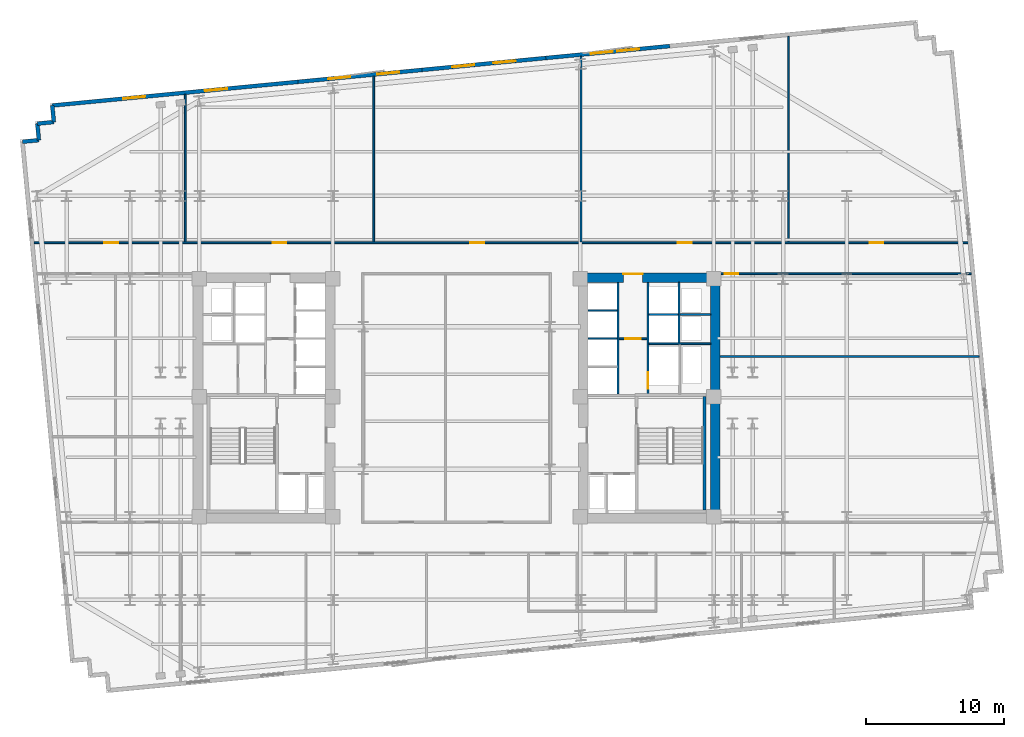
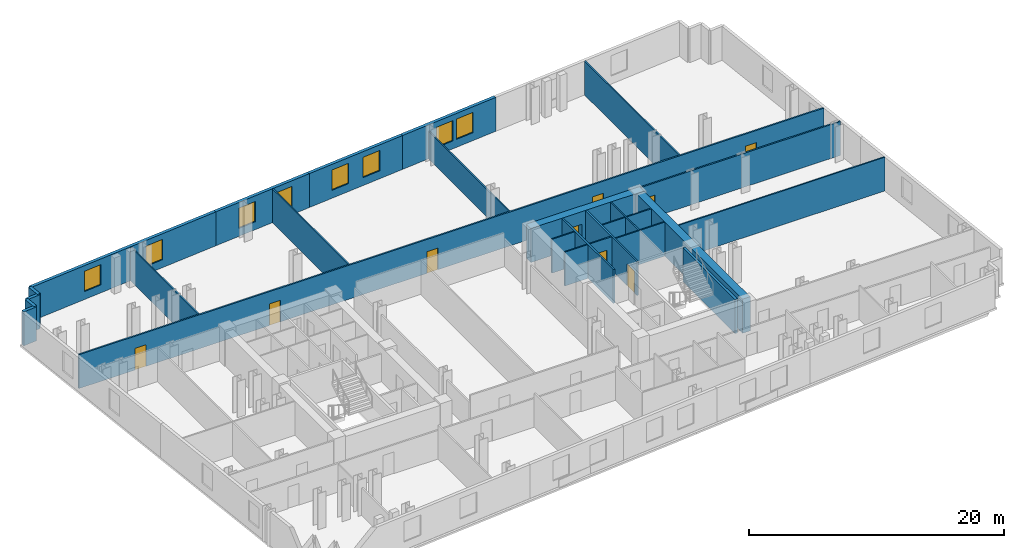
# One storey, part 7 of 10: 27 walls, 9 doors, 8 windows, 17 openings.
"""IFC4 building model written with IfcOpenShell, lengths in metres."""

import ifcopenshell
import ifcopenshell.guid

model = None  # the IFC model being written
_history = None  # IfcOwnerHistory: only IFC2X3 demands one
_inside = {}  # id of a spatial element -> (the spatial element, [elements in it])
_under = {}  # id of a project, library or spatial element -> (it, [spatial elements below it])
_declared = {}  # id of a project -> (the project, [libraries it declares])
_typed = {}  # id of a type object -> (the type object, [elements of that type])
_made_of = {}  # id of a material, layer set ... -> (it, [elements and type objects made of it])


def new_model(schema):
    """Start an empty IFC model of exactly this schema.

    Asked for "IFC4X3", IfcOpenShell would pick the latest addendum, in which some entities
    have other attributes; the version numbers below select the first issue.
    IFC2X3 requires an IfcOwnerHistory on every rooted entity: one is made here for all.
    """
    global model, _history
    if schema == "IFC4X3":
        model = ifcopenshell.file(schema_version=(4, 3, 0, 0))
    else:
        model = ifcopenshell.file(schema=schema)
    _inside.clear()
    _under.clear()
    _declared.clear()
    _typed.clear()
    _made_of.clear()
    _history = None
    if model.schema == "IFC2X3":
        org = make("IfcOrganization", Name="unknown")
        user = make(
            "IfcPersonAndOrganization",
            ThePerson=make("IfcPerson", FamilyName="unknown"),
            TheOrganization=org,
        )
        app = make(
            "IfcApplication",
            ApplicationDeveloper=org,
            Version="unknown",
            ApplicationFullName="unknown",
            ApplicationIdentifier="unknown",
        )
        _history = make(
            "IfcOwnerHistory",
            OwningUser=user,
            OwningApplication=app,
            ChangeAction="ADDED",
            CreationDate=0,
        )
    return model


def make(cls, **values):
    """One entity of the class cls with the attributes given. An attribute that is None is left unset."""
    return model.create_entity(
        cls, **{name: value for name, value in values.items() if value is not None}
    )


def rooted(cls, **values):
    """An entity with a GlobalId (a new one), such as an element, a storey or a relation."""
    return make(cls, GlobalId=ifcopenshell.guid.new(), OwnerHistory=_history, **values)


def si_unit(unit_type, name, prefix=None):
    """IfcSIUnit, for example si_unit("LENGTHUNIT", "METRE", prefix="MILLI")."""
    return make("IfcSIUnit", UnitType=unit_type, Prefix=prefix, Name=name)


def assignment(units):
    """IfcUnitAssignment: the units of a project."""
    return None if units is None else make("IfcUnitAssignment", Units=units)


def point(xyz):
    """IfcCartesianPoint."""
    return None if xyz is None else make("IfcCartesianPoint", Coordinates=xyz)


def direction(xyz):
    """IfcDirection."""
    return None if xyz is None else make("IfcDirection", DirectionRatios=xyz)


def frame(location, z_axis=None, x_axis=None):
    """IfcAxis2Placement3D, a coordinate frame: its origin and axes. An axis left out is left unset."""
    return make(
        "IfcAxis2Placement3D",
        Location=point(location),
        Axis=direction(z_axis),
        RefDirection=direction(x_axis),
    )


def frame_2d(location, x_axis=None):
    """IfcAxis2Placement2D, a coordinate frame in the plane: its origin and x axis."""
    return make(
        "IfcAxis2Placement2D", Location=point(location), RefDirection=direction(x_axis)
    )


def origin():
    """The frame at (0, 0, 0) with its axes left unset."""
    return frame((0.0, 0.0, 0.0))


def place(relative_to, where):
    """IfcLocalPlacement: puts the frame where relative to a parent placement (None: the world)."""
    return make(
        "IfcLocalPlacement", PlacementRelTo=relative_to, RelativePlacement=where
    )


def context(
    kind, dimensions, precision=None, world=None, true_north=None, identifier=None
):
    """IfcGeometricRepresentationContext, for example the 3D "Model" context."""
    return make(
        "IfcGeometricRepresentationContext",
        ContextIdentifier=identifier,
        ContextType=kind,
        CoordinateSpaceDimension=dimensions,
        Precision=precision,
        WorldCoordinateSystem=world,
        TrueNorth=true_north,
    )


def subcontext(parent, identifier, kind, view, scale=None):
    """IfcGeometricRepresentationSubContext, for example "Body" below "Model"."""
    return make(
        "IfcGeometricRepresentationSubContext",
        ContextIdentifier=identifier,
        ContextType=kind,
        ParentContext=parent,
        TargetScale=scale,
        TargetView=view,
    )


def project(units=None, contexts=None):
    """IfcProject with its units and contexts."""
    return rooted(
        "IfcProject",
        Name="project",
        RepresentationContexts=contexts,
        UnitsInContext=assignment(units),
    )


def spatial(cls, under=None, at=None, **own):
    """A site, building, storey or space (cls), placed at a placement, below another one or the project."""
    s = rooted(cls, ObjectPlacement=at, **own)
    if under is not None:
        _under.setdefault(under.id(), (under, []))[1].append(s)
    return s


def profile(cls, at=None, kind="AREA", **sizes):
    """A parametric profile (cls). Its sizes go by their IFC names, for example OverallWidth=200.0."""
    return make(cls, ProfileType=kind, Position=at, **sizes)


def rectangle(**sizes):
    """IfcRectangleProfileDef."""
    return profile("IfcRectangleProfileDef", **sizes)


def extrude(swept, where, along, depth):
    """IfcExtrudedAreaSolid: the profile swept, set in the frame where, extruded along a direction by depth."""
    return make(
        "IfcExtrudedAreaSolid",
        SweptArea=swept,
        Position=where,
        ExtrudedDirection=direction(along),
        Depth=depth,
    )


def shape(context_of_items, identifier, shape_type, items):
    """IfcShapeRepresentation: the items that make up one representation, for example the "Body"."""
    return make(
        "IfcShapeRepresentation",
        ContextOfItems=context_of_items,
        RepresentationIdentifier=identifier,
        RepresentationType=shape_type,
        Items=items,
    )


def material(Name=None, Category=None):
    """IfcMaterial."""
    return make("IfcMaterial", Name=Name, Category=Category)


def layer(
    of_material, thickness, ventilated=None, Name=None, Category=None, Priority=None
):
    """IfcMaterialLayer: one layer of a wall or slab, of a material (None: an air gap)."""
    return make(
        "IfcMaterialLayer",
        Material=of_material,
        LayerThickness=thickness,
        IsVentilated=ventilated,
        Name=Name,
        Category=Category,
        Priority=Priority,
    )


def layer_set(layers, Name=None):
    """IfcMaterialLayerSet."""
    return make("IfcMaterialLayerSet", MaterialLayers=layers, LayerSetName=Name)


def made_of(thing, what):
    """Note that an element or type object is made of a material, layer set ...; save() writes the relation."""
    if what is not None:
        _made_of.setdefault(what.id(), (what, []))[1].append(thing)
    return thing


def type_object(cls, material=None, **own):
    """A type object (cls), such as IfcWallType, which elements share."""
    return made_of(rooted(cls, **own), material)


def element(
    cls,
    number,
    at=None,
    inside=None,
    cuts=None,
    type_object=None,
    material=None,
    context=None,
    identifier="Body",
    shape_type=None,
    held_by="IfcProductDefinitionShape",
    body=None,
    shapes=None,
    **own,
):
    """One element of the class cls, such as IfcWall. Its Tag is "e" and its number.

    at: its placement. inside: the storey or other place that contains it. cuts: it is an
    opening in that element (IfcRelVoidsElement). A single representation is given by context,
    identifier, shape_type and body (its items); several are given by shapes. held_by: the class
    of the entity that holds the representations. save() writes the other relations.
    """
    e = rooted(cls, Tag="e%d" % number, ObjectPlacement=at, **own)
    if body is not None:
        shapes = [shape(context, identifier, shape_type, body)]
    if shapes is not None:
        e.Representation = make(held_by, Representations=shapes)
    if inside is not None:
        _inside.setdefault(inside.id(), (inside, []))[1].append(e)
    if cuts is not None:
        rooted(
            "IfcRelVoidsElement", RelatingBuildingElement=cuts, RelatedOpeningElement=e
        )
    if type_object is not None:
        _typed.setdefault(type_object.id(), (type_object, []))[1].append(e)
    return made_of(e, material)


def fill(opening, filler):
    """IfcRelFillsElement: the door or window that sits in an opening."""
    return rooted(
        "IfcRelFillsElement",
        RelatingOpeningElement=opening,
        RelatedBuildingElement=filler,
    )


def aggregate(whole, parts):
    """IfcRelAggregates: a whole, such as a stair, and the parts it consists of."""
    return rooted("IfcRelAggregates", RelatingObject=whole, RelatedObjects=parts)


def save(model, path):
    """Write the relations noted so far, then the file.

    IfcRelAggregates (storeys below a building ...), IfcRelContainedInSpatialStructure (elements
    in a storey), IfcRelDefinesByType, IfcRelAssociatesMaterial and IfcRelDeclares: one each for
    every whole, place, type object, material and project.
    """
    for whole, parts in _under.values():
        aggregate(whole, parts)
    for where, things in _inside.values():
        rooted(
            "IfcRelContainedInSpatialStructure",
            RelatedElements=things,
            RelatingStructure=where,
        )
    for kind, things in _typed.values():
        rooted("IfcRelDefinesByType", RelatedObjects=things, RelatingType=kind)
    for what, things in _made_of.values():
        rooted("IfcRelAssociatesMaterial", RelatedObjects=things, RelatingMaterial=what)
    for by, libraries in _declared.values():
        rooted("IfcRelDeclares", RelatingContext=by, RelatedDefinitions=libraries)
    model.write(path)


model = new_model("IFC4")

# Units and contexts
model_context = context("Model", 3, precision=1e-05, world=origin(), true_north=direction((0.0, 1.0)))
body_context = subcontext(model_context, "Body", "Model", "MODEL_VIEW")
ifc_project = project(units=[si_unit("LENGTHUNIT", "METRE"), si_unit("AREAUNIT", "SQUARE_METRE"), si_unit("VOLUMEUNIT", "CUBIC_METRE"), si_unit("PLANEANGLEUNIT", "RADIAN"), si_unit("MASSUNIT", "GRAM", prefix="KILO")], contexts=[model_context])

# Site, building, storey
site_placement = place(None, origin())
site = spatial("IfcSite", under=ifc_project, at=site_placement, CompositionType="ELEMENT")
building_placement = place(site_placement, origin())
building = spatial("IfcBuilding", under=site, at=building_placement, Name="Velakula Bourse", CompositionType="ELEMENT")
storey_placement = place(building_placement, frame((0.0, 0.0, 88.0)))
storey = spatial("IfcBuildingStorey", under=building, at=storey_placement, Name="L23", CompositionType="ELEMENT", Elevation=88.0)

# Wall
ifc_material_1 = material(Name="Concrete M50 (fck 50 MPa)", Category="concrete")
ifc_layer_1 = layer(ifc_material_1, 0.2099609375, Name="Concrete M50 (fck 50 MPa)", Category="concrete")
ifc_layer_set_1 = layer_set([ifc_layer_1], Name="Concrete M50 (fck 50 MPa)")
wall_type_1 = type_object("IfcWallType", Name="WL-CORE-210", PredefinedType="SHEAR", material=ifc_layer_set_1)
wall_1_placement = place(storey_placement, frame((17.925048828125, -8.10009765625, 0.0), z_axis=(0.0, 0.0, 1.0), x_axis=(0.0, 1.0, 0.0)))
element("IfcWall", 1, at=wall_1_placement, inside=storey, type_object=wall_type_1, Name="L23 Core E Stairwell Shear Wall OUT", PredefinedType="SHEAR", context=body_context, shape_type="SweptSolid", body=[
    extrude(rectangle(XDim=8.2001953125, YDim=0.2099609375, at=frame_2d((4.10009765625, 0.0))), origin(), (0.0, 0.0, 1.0), 3.27001953125),
])

# Wall, opening, door
ifc_material_2 = material(Name="Concrete M70 (fck 70 MPa)", Category="concrete")
ifc_layer_2 = layer(ifc_material_2, 0.699951171875, Name="Concrete M70 (fck 70 MPa)", Category="concrete")
ifc_layer_set_2 = layer_set([ifc_layer_2], Name="Concrete M70 (fck 70 MPa)")
wall_type_2 = type_object("IfcWallType", Name="WL-CORE-700", PredefinedType="SHEAR", material=ifc_layer_set_2)
wall_2_placement = place(storey_placement, frame((8.800048828125, 8.699951171875, 0.0), z_axis=(0.0, 0.0, 1.0), x_axis=(1.0, 0.0, 0.0)))
wall_2 = element("IfcWall", 2, at=wall_2_placement, inside=storey, type_object=wall_type_2, Name="L23 Core E Shear Wall N", PredefinedType="SHEAR", context=body_context, shape_type="SweptSolid", body=[
    extrude(rectangle(XDim=10.25, YDim=0.699951171875, at=frame_2d((5.125, 0.0))), origin(), (0.0, 0.0, 1.0), 3.27001953125),
])
opening_1_placement = place(wall_2_placement, frame((3.25, 0.0, 0.0)))
opening_1 = element("IfcOpeningElement", 3, at=opening_1_placement, cuts=wall_2, Name="Opening D-LLE", PredefinedType="OPENING", context=body_context, shape_type="SweptSolid", body=[
    extrude(rectangle(XDim=1.39990234375, YDim=2.050048828125, at=frame_2d((0.699951171875, 1.02490234375))), frame((0.0, 0.35986328125, 0.0), z_axis=(0.0, -1.0, 0.0), x_axis=(1.0, 0.0, 0.0)), (0.0, 0.0, 1.0), 0.719970703125),
])
ifc_material_3 = material(Name="Fire-rated hardwood flush architectural door", Category="wood")
door_type_1 = type_object("IfcDoorType", Name="DR-DBL-FD60-1400", OperationType="DOUBLE_DOOR_SINGLE_SWING", PredefinedType="DOOR", material=ifc_material_3)
door_1_placement = place(opening_1_placement, origin())
door_1 = element("IfcDoor", 4, at=door_1_placement, inside=storey, type_object=door_type_1, Name="L23 Core E Lift Lobby Corridor Double Door", OperationType="DOUBLE_DOOR_SINGLE_SWING", OverallHeight=2.050048828125, OverallWidth=1.39990234375, PredefinedType="DOOR", context=body_context, shape_type="SweptSolid", body=[
    extrude(rectangle(XDim=1.39990234375, YDim=2.050048828125, at=frame_2d((0.699951171875, 1.02490234375))), frame((0.0, 0.294921875, 0.0), z_axis=(0.0, -1.0, 0.0), x_axis=(1.0, 0.0, 0.0)), (0.0, 0.0, 1.0), 0.050048828125),
])
fill(opening_1, door_1)

# Wall
wall_3_placement = place(storey_placement, frame((18.699951171875, -8.35009765625, 0.0), z_axis=(0.0, 0.0, 1.0), x_axis=(0.0, 1.0, 0.0)))
element("IfcWall", 5, at=wall_3_placement, inside=storey, type_object=wall_type_2, Name="L23 Core E Shear Wall E", PredefinedType="SHEAR", context=body_context, shape_type="SweptSolid", body=[
    extrude(rectangle(XDim=16.7001953125, YDim=0.699951171875, at=frame_2d((8.35009765625, 0.0))), origin(), (0.0, 0.0, 1.0), 3.27001953125),
])

# Wall, openings, windows
ifc_material_4 = material(Name="Red kilned clay facing brick masonry", Category="masonry")
ifc_layer_3 = layer(ifc_material_4, 0.280029296875, Name="Red kilned clay facing brick masonry", Category="masonry")
ifc_layer_set_3 = layer_set([ifc_layer_3], Name="Red kilned clay facing brick masonry")
wall_type_3 = type_object("IfcWallType", Name="WL-EXT-BRK-280", PredefinedType="STANDARD", material=ifc_layer_set_3)
wall_4_placement = place(storey_placement, frame((-29.2314453125, 21.138427734375, 0.0), z_axis=(0.0, 0.0, 1.0), x_axis=(0.995395780835, 0.095850088663, 0.0)))
wall_4 = element("IfcWall", 6, at=wall_4_placement, inside=storey, type_object=wall_type_3, Name="L23 N Brick Spandrel Wall B1", PredefinedType="STANDARD", context=body_context, shape_type="SweptSolid", body=[
    extrude(rectangle(XDim=17.83984375, YDim=0.280029296875, at=frame_2d((8.919921875, 0.0))), origin(), (0.0, 0.0, 1.0), 3.25),
])
opening_2_placement = place(wall_4_placement, frame((5.146728515625, 0.0, 0.760009765625)))
opening_2 = element("IfcOpeningElement", 7, at=opening_2_placement, cuts=wall_4, Name="Opening W-02", PredefinedType="OPENING", context=body_context, shape_type="SweptSolid", body=[
    extrude(rectangle(XDim=1.60009765625, YDim=1.949951171875, at=frame_2d((0.800048828125, 0.97509765625))), frame((0.0, 0.14990234375, 0.0), z_axis=(0.0, -1.0, 0.0), x_axis=(1.0, 0.0, 0.0)), (0.0, 0.0, 1.0), 0.300048828125),
])
opening_3_placement = place(wall_4_placement, frame((11.09326171875, 0.0, 0.760009765625)))
opening_3 = element("IfcOpeningElement", 8, at=opening_3_placement, cuts=wall_4, Name="Opening W-02", PredefinedType="OPENING", context=body_context, shape_type="SweptSolid", body=[
    extrude(rectangle(XDim=1.60009765625, YDim=1.949951171875, at=frame_2d((0.800048828125, 0.97509765625))), frame((0.0, 0.14990234375, 0.0), z_axis=(0.0, -1.0, 0.0), x_axis=(1.0, 0.0, 0.0)), (0.0, 0.0, 1.0), 0.300048828125),
])
ifc_material_5 = material(Name="Double-glazed solar-control Low-E glass", Category="glass")
window_type = type_object("IfcWindowType", Name="WIN-TWR-1600x2100", PartitioningType="SINGLE_PANEL", PredefinedType="WINDOW", material=ifc_material_5)
window_1_placement = place(opening_2_placement, origin())
window_1 = element("IfcWindow", 9, at=window_1_placement, inside=storey, type_object=window_type, Name="L23 Deep-Set Recessed Window 1", OverallHeight=1.949951171875, OverallWidth=1.60009765625, PartitioningType="SINGLE_PANEL", PredefinedType="WINDOW", context=body_context, shape_type="SweptSolid", body=[
    extrude(rectangle(XDim=1.60009765625, YDim=1.949951171875, at=frame_2d((0.800048828125, 0.97509765625))), frame((0.0, 0.030029296875, 0.0), z_axis=(0.0, -1.0, 0.0), x_axis=(1.0, 0.0, 0.0)), (0.0, 0.0, 1.0), 0.06005859375),
])
fill(opening_2, window_1)
window_2_placement = place(opening_3_placement, origin())
window_2 = element("IfcWindow", 10, at=window_2_placement, inside=storey, type_object=window_type, Name="L23 Deep-Set Recessed Window 2", OverallHeight=1.949951171875, OverallWidth=1.60009765625, PartitioningType="SINGLE_PANEL", PredefinedType="WINDOW", context=body_context, shape_type="SweptSolid", body=[
    extrude(rectangle(XDim=1.60009765625, YDim=1.949951171875, at=frame_2d((0.800048828125, 0.97509765625))), frame((0.0, 0.030029296875, 0.0), z_axis=(0.0, -1.0, 0.0), x_axis=(1.0, 0.0, 0.0)), (0.0, 0.0, 1.0), 0.06005859375),
])
fill(opening_3, window_2)

wall_5_placement = place(storey_placement, frame((-11.4736328125, 22.848388671875, 0.0), z_axis=(0.0, 0.0, 1.0), x_axis=(0.995396794462, 0.09583956164, 0.0)))
wall_5 = element("IfcWall", 11, at=wall_5_placement, inside=storey, type_object=wall_type_3, Name="L23 N Brick Spandrel Wall B2", PredefinedType="STANDARD", context=body_context, shape_type="SweptSolid", body=[
    extrude(rectangle(XDim=9.0, YDim=0.280029296875, at=frame_2d((4.5, 0.0))), origin(), (0.0, 0.0, 1.0), 3.25),
])
opening_4_placement = place(wall_5_placement, frame((2.199951171875, 0.0, 0.760009765625)))
opening_4 = element("IfcOpeningElement", 12, at=opening_4_placement, cuts=wall_5, Name="Opening W-02", PredefinedType="OPENING", context=body_context, shape_type="SweptSolid", body=[
    extrude(rectangle(XDim=1.60009765625, YDim=1.949951171875, at=frame_2d((0.800048828125, 0.97509765625))), frame((0.0, 0.14990234375, 0.0), z_axis=(0.0, -1.0, 0.0), x_axis=(1.0, 0.0, 0.0)), (0.0, 0.0, 1.0), 0.300048828125),
])
opening_5_placement = place(wall_5_placement, frame((5.75, 0.0, 0.760009765625)))
opening_5 = element("IfcOpeningElement", 13, at=opening_5_placement, cuts=wall_5, Name="Opening W-02", PredefinedType="OPENING", context=body_context, shape_type="SweptSolid", body=[
    extrude(rectangle(XDim=1.60009765625, YDim=1.949951171875, at=frame_2d((0.800048828125, 0.97509765625))), frame((0.0, 0.14990234375, 0.0), z_axis=(0.0, -1.0, 0.0), x_axis=(1.0, 0.0, 0.0)), (0.0, 0.0, 1.0), 0.300048828125),
])
window_3_placement = place(opening_4_placement, origin())
window_3 = element("IfcWindow", 14, at=window_3_placement, inside=storey, type_object=window_type, Name="L23 Deep-Set Recessed Window 1", OverallHeight=1.949951171875, OverallWidth=1.60009765625, PartitioningType="SINGLE_PANEL", PredefinedType="WINDOW", context=body_context, shape_type="SweptSolid", body=[
    extrude(rectangle(XDim=1.60009765625, YDim=1.949951171875, at=frame_2d((0.800048828125, 0.97509765625))), frame((0.0, 0.030029296875, 0.0), z_axis=(0.0, -1.0, 0.0), x_axis=(1.0, 0.0, 0.0)), (0.0, 0.0, 1.0), 0.06005859375),
])
fill(opening_4, window_3)
window_4_placement = place(opening_5_placement, origin())
window_4 = element("IfcWindow", 15, at=window_4_placement, inside=storey, type_object=window_type, Name="L23 Deep-Set Recessed Window 2", OverallHeight=1.949951171875, OverallWidth=1.60009765625, PartitioningType="SINGLE_PANEL", PredefinedType="WINDOW", context=body_context, shape_type="SweptSolid", body=[
    extrude(rectangle(XDim=1.60009765625, YDim=1.949951171875, at=frame_2d((0.800048828125, 0.97509765625))), frame((0.0, 0.030029296875, 0.0), z_axis=(0.0, -1.0, 0.0), x_axis=(1.0, 0.0, 0.0)), (0.0, 0.0, 1.0), 0.06005859375),
])
fill(opening_5, window_4)

wall_6_placement = place(storey_placement, frame((-2.51513671875, 23.7109375, 0.0), z_axis=(0.0, 0.0, 1.0), x_axis=(0.995397043619, 0.095836973841, 0.0)))
wall_6 = element("IfcWall", 16, at=wall_6_placement, inside=storey, type_object=wall_type_3, Name="L23 N Brick Spandrel Wall B3", PredefinedType="STANDARD", context=body_context, shape_type="SweptSolid", body=[
    extrude(rectangle(XDim=9.000244140625, YDim=0.280029296875, at=frame_2d((4.5, 0.0))), origin(), (0.0, 0.0, 1.0), 3.25),
])
opening_6_placement = place(wall_6_placement, frame((2.199951171875, 0.0, 0.760009765625)))
opening_6 = element("IfcOpeningElement", 17, at=opening_6_placement, cuts=wall_6, Name="Opening W-02", PredefinedType="OPENING", context=body_context, shape_type="SweptSolid", body=[
    extrude(rectangle(XDim=1.60009765625, YDim=1.949951171875, at=frame_2d((0.800048828125, 0.97509765625))), frame((0.0, 0.14990234375, 0.0), z_axis=(0.0, -1.0, 0.0), x_axis=(1.0, 0.0, 0.0)), (0.0, 0.0, 1.0), 0.300048828125),
])
opening_7_placement = place(wall_6_placement, frame((5.199951171875, 0.0, 0.760009765625)))
opening_7 = element("IfcOpeningElement", 18, at=opening_7_placement, cuts=wall_6, Name="Opening W-02", PredefinedType="OPENING", context=body_context, shape_type="SweptSolid", body=[
    extrude(rectangle(XDim=1.60009765625, YDim=1.949951171875, at=frame_2d((0.800048828125, 0.97509765625))), frame((0.0, 0.14990234375, 0.0), z_axis=(0.0, -1.0, 0.0), x_axis=(1.0, 0.0, 0.0)), (0.0, 0.0, 1.0), 0.300048828125),
])
window_5_placement = place(opening_6_placement, origin())
window_5 = element("IfcWindow", 19, at=window_5_placement, inside=storey, type_object=window_type, Name="L23 Deep-Set Recessed Window 1", OverallHeight=1.949951171875, OverallWidth=1.60009765625, PartitioningType="SINGLE_PANEL", PredefinedType="WINDOW", context=body_context, shape_type="SweptSolid", body=[
    extrude(rectangle(XDim=1.60009765625, YDim=1.949951171875, at=frame_2d((0.800048828125, 0.97509765625))), frame((0.0, 0.030029296875, 0.0), z_axis=(0.0, -1.0, 0.0), x_axis=(1.0, 0.0, 0.0)), (0.0, 0.0, 1.0), 0.06005859375),
])
fill(opening_6, window_5)
window_6_placement = place(opening_7_placement, origin())
window_6 = element("IfcWindow", 20, at=window_6_placement, inside=storey, type_object=window_type, Name="L23 Deep-Set Recessed Window 2", OverallHeight=1.949951171875, OverallWidth=1.60009765625, PartitioningType="SINGLE_PANEL", PredefinedType="WINDOW", context=body_context, shape_type="SweptSolid", body=[
    extrude(rectangle(XDim=1.60009765625, YDim=1.949951171875, at=frame_2d((0.800048828125, 0.97509765625))), frame((0.0, 0.030029296875, 0.0), z_axis=(0.0, -1.0, 0.0), x_axis=(1.0, 0.0, 0.0)), (0.0, 0.0, 1.0), 0.06005859375),
])
fill(opening_7, window_6)

wall_7_placement = place(storey_placement, frame((6.443603515625, 24.573486328125, 0.0), z_axis=(0.0, 0.0, 1.0), x_axis=(0.995396794462, 0.09583956164, 0.0)))
wall_7 = element("IfcWall", 21, at=wall_7_placement, inside=storey, type_object=wall_type_3, Name="L23 N Brick Spandrel Wall B4", PredefinedType="STANDARD", context=body_context, shape_type="SweptSolid", body=[
    extrude(rectangle(XDim=9.0, YDim=0.280029296875, at=frame_2d((4.5, 0.0))), origin(), (0.0, 0.0, 1.0), 3.25),
])
opening_8_placement = place(wall_7_placement, frame((3.25, 0.0, 0.760009765625)))
opening_8 = element("IfcOpeningElement", 22, at=opening_8_placement, cuts=wall_7, Name="Opening W-02", PredefinedType="OPENING", context=body_context, shape_type="SweptSolid", body=[
    extrude(rectangle(XDim=1.60009765625, YDim=1.949951171875, at=frame_2d((0.800048828125, 0.97509765625))), frame((0.0, 0.14990234375, 0.0), z_axis=(0.0, -1.0, 0.0), x_axis=(1.0, 0.0, 0.0)), (0.0, 0.0, 1.0), 0.300048828125),
])
opening_9_placement = place(wall_7_placement, frame((5.199951171875, 0.0, 0.760009765625)))
opening_9 = element("IfcOpeningElement", 23, at=opening_9_placement, cuts=wall_7, Name="Opening W-02", PredefinedType="OPENING", context=body_context, shape_type="SweptSolid", body=[
    extrude(rectangle(XDim=1.60009765625, YDim=1.949951171875, at=frame_2d((0.800048828125, 0.97509765625))), frame((0.0, 0.14990234375, 0.0), z_axis=(0.0, -1.0, 0.0), x_axis=(1.0, 0.0, 0.0)), (0.0, 0.0, 1.0), 0.300048828125),
])
window_7_placement = place(opening_8_placement, origin())
window_7 = element("IfcWindow", 24, at=window_7_placement, inside=storey, type_object=window_type, Name="L23 Deep-Set Recessed Window 1", OverallHeight=1.949951171875, OverallWidth=1.60009765625, PartitioningType="SINGLE_PANEL", PredefinedType="WINDOW", context=body_context, shape_type="SweptSolid", body=[
    extrude(rectangle(XDim=1.60009765625, YDim=1.949951171875, at=frame_2d((0.800048828125, 0.97509765625))), frame((0.0, 0.030029296875, 0.0), z_axis=(0.0, -1.0, 0.0), x_axis=(1.0, 0.0, 0.0)), (0.0, 0.0, 1.0), 0.06005859375),
])
fill(opening_8, window_7)
window_8_placement = place(opening_9_placement, origin())
window_8 = element("IfcWindow", 25, at=window_8_placement, inside=storey, type_object=window_type, Name="L23 Deep-Set Recessed Window 2", OverallHeight=1.949951171875, OverallWidth=1.60009765625, PartitioningType="SINGLE_PANEL", PredefinedType="WINDOW", context=body_context, shape_type="SweptSolid", body=[
    extrude(rectangle(XDim=1.60009765625, YDim=1.949951171875, at=frame_2d((0.800048828125, 0.97509765625))), frame((0.0, 0.030029296875, 0.0), z_axis=(0.0, -1.0, 0.0), x_axis=(1.0, 0.0, 0.0)), (0.0, 0.0, 1.0), 0.06005859375),
])
fill(opening_9, window_8)

# Walls
for number, where, z_axis, x_axis, name in (
    (26, (-29.2314453125, 21.138427734375, 0.0), (0.0, 0.0, 1.0), (0.095817067274, -0.995398960025, 0.0), "L23 Serrated Corner Brick Wall NW-1"),
    (27, (-29.116455078125, 19.94384765625, 0.0), (0.0, 0.0, 1.0), (-0.995398960025, -0.095817067274, 0.0), "L23 Serrated Corner Brick Wall NW-2"),
):
    element("IfcWall", number, at=place(storey_placement, frame(where, z_axis=z_axis, x_axis=x_axis)), inside=storey, type_object=wall_type_3, Name=name, PredefinedType="STANDARD", context=body_context, shape_type="SweptSolid", body=[
        extrude(rectangle(XDim=1.2001953125, YDim=0.280029296875, at=frame_2d((0.60009765625, 0.0))), origin(), (0.0, 0.0, 1.0), 3.25),
    ])
for number, where, z_axis, x_axis, name in (
    (28, (-30.31103515625, 19.828857421875, 0.0), (0.0, 0.0, 1.0), (0.095836473879, -0.995397091755, 0.0), "L23 Serrated Corner Brick Wall NW-3"),
    (29, (-30.196044921875, 18.634521484375, 0.0), (0.0, 0.0, 1.0), (-0.995397091755, -0.095836473879, 0.0), "L23 Serrated Corner Brick Wall NW-4"),
):
    element("IfcWall", number, at=place(storey_placement, frame(where, z_axis=z_axis, x_axis=x_axis)), inside=storey, type_object=wall_type_3, Name=name, PredefinedType="STANDARD", context=body_context, shape_type="SweptSolid", body=[
        extrude(rectangle(XDim=1.199951171875, YDim=0.280029296875, at=frame_2d((0.60009765625, 0.0))), origin(), (0.0, 0.0, 1.0), 3.25),
    ])

# Wall, opening, door
ifc_material_6 = material(Name="Fire-rated double-layer gypsum drywall partition", Category="gypsum")
ifc_layer_4 = layer(ifc_material_6, 0.1201171875, Name="Fire-rated double-layer gypsum drywall partition", Category="gypsum")
ifc_layer_set_4 = layer_set([ifc_layer_4], Name="Fire-rated double-layer gypsum drywall partition")
wall_type_4 = type_object("IfcWallType", Name="WL-PART-120", PredefinedType="STANDARD", material=ifc_layer_set_4)
wall_8_placement = place(storey_placement, frame((11.75, 4.280029296875, 0.0), z_axis=(0.0, 0.0, 1.0), x_axis=(1.0, 0.0, 0.0)))
wall_8 = element("IfcWall", 30, at=wall_8_placement, inside=storey, type_object=wall_type_4, Name="L23 Interior Partition WL-CRE-L23-LL-K2", PredefinedType="STANDARD", context=body_context, shape_type="SweptSolid", body=[
    extrude(rectangle(XDim=2.0, YDim=0.1201171875, at=frame_2d((1.0, 0.0))), origin(), (0.0, 0.0, 1.0), 3.25),
])
opening_10_placement = place(wall_8_placement, frame((0.449951171875, 0.0, 0.0)))
opening_10 = element("IfcOpeningElement", 31, at=opening_10_placement, cuts=wall_8, Name="Opening D-LK2", PredefinedType="OPENING", context=body_context, shape_type="SweptSolid", body=[
    extrude(rectangle(XDim=1.10009765625, YDim=2.10009765625, at=frame_2d((0.550048828125, 1.050048828125))), frame((0.0, 0.070068359375, 0.0), z_axis=(0.0, -1.0, 0.0), x_axis=(1.0, 0.0, 0.0)), (0.0, 0.0, 1.0), 0.14013671875),
])
door_type_2 = type_object("IfcDoorType", Name="DR-FD60-1100x2100", OperationType="NOTDEFINED", PredefinedType="DOOR", material=ifc_material_3)
door_2_placement = place(opening_10_placement, origin())
door_2 = element("IfcDoor", 32, at=door_2_placement, inside=storey, type_object=door_type_2, Name="L23 Core E Lift Lobby Zone Door", OperationType="SINGLE_SWING_LEFT", OverallHeight=2.10009765625, OverallWidth=1.10009765625, PredefinedType="DOOR", context=body_context, shape_type="SweptSolid", body=[
    extrude(rectangle(XDim=1.10009765625, YDim=2.10009765625, at=frame_2d((0.550048828125, 1.050048828125))), frame((0.0, 0.02490234375, 0.0), z_axis=(0.0, -1.0, 0.0), x_axis=(1.0, 0.0, 0.0)), (0.0, 0.0, 1.0), 0.050048828125),
])
fill(opening_10, door_2)

# Walls
for number, where, z_axis, x_axis, name in (
    (33, (9.5, 4.284912109375, 0.0), (0.0, 0.0, 1.0), (1.0, 0.0, 0.0), "L23 Interior Partition WL-CRE-L23-BDIV-1"),
    (34, (9.5, 6.31494140625, 0.0), (0.0, 0.0, 1.0), (1.0, 0.0, 0.0), "L23 Interior Partition WL-CRE-L23-BDIV-2"),
):
    element("IfcWall", number, at=place(storey_placement, frame(where, z_axis=z_axis, x_axis=x_axis)), inside=storey, type_object=wall_type_4, Name=name, PredefinedType="STANDARD", context=body_context, shape_type="SweptSolid", body=[
        extrude(rectangle(XDim=2.10009765625, YDim=0.110107421875, at=frame_2d((1.050048828125, 0.0))), origin(), (0.0, 0.0, 1.0), 3.25),
    ])
wall_9_placement = place(storey_placement, frame((13.89990234375, 3.919921875, 0.0), z_axis=(0.0, 0.0, 1.0), x_axis=(1.0, 0.0, 0.0)))
element("IfcWall", 35, at=wall_9_placement, inside=storey, type_object=wall_type_4, Name="L23 Interior Partition WL-CRE-L23-HI-S", PredefinedType="STANDARD", context=body_context, shape_type="SweptSolid", body=[
    extrude(rectangle(XDim=4.4501953125, YDim=0.1201171875, at=frame_2d((2.22509765625, 0.0))), origin(), (0.0, 0.0, 1.0), 3.25),
])
wall_10_placement = place(storey_placement, frame((16.14990234375, 6.030029296875, 0.0), z_axis=(0.0, 0.0, 1.0), x_axis=(1.0, 0.0, 0.0)))
element("IfcWall", 36, at=wall_10_placement, inside=storey, type_object=wall_type_4, Name="L23 Interior Partition WL-CRE-L23-RIS-MID", PredefinedType="STANDARD", context=body_context, shape_type="SweptSolid", body=[
    extrude(rectangle(XDim=2.2001953125, YDim=0.1201171875, at=frame_2d((1.10009765625, 0.0))), origin(), (0.0, 0.0, 1.0), 3.25),
])
wall_11_placement = place(storey_placement, frame((16.074951171875, 3.97998046875, 0.0), z_axis=(0.0, 0.0, 1.0), x_axis=(0.0, 1.0, 0.0)))
element("IfcWall", 37, at=wall_11_placement, inside=storey, type_object=wall_type_4, Name="L23 Interior Partition WL-CRE-L23-RIS-F", PredefinedType="STANDARD", context=body_context, shape_type="SweptSolid", body=[
    extrude(rectangle(XDim=4.3701171875, YDim=0.1201171875, at=frame_2d((2.18505859375, 0.0))), origin(), (0.0, 0.0, 1.0), 3.25),
])
wall_12_placement = place(storey_placement, frame((13.89990234375, 6.030029296875, 0.0), z_axis=(0.0, 0.0, 1.0), x_axis=(1.0, 0.0, 0.0)))
element("IfcWall", 38, at=wall_12_placement, inside=storey, type_object=wall_type_4, Name="L23 Interior Partition WL-CRE-L23-HI-DIV", PredefinedType="STANDARD", context=body_context, shape_type="SweptSolid", body=[
    extrude(rectangle(XDim=2.10009765625, YDim=0.1201171875, at=frame_2d((1.050048828125, 0.0))), origin(), (0.0, 0.0, 1.0), 3.25),
])
wall_13_placement = place(storey_placement, frame((-19.614990234375, 11.2900390625, 0.0), z_axis=(0.0, 0.0, 1.0), x_axis=(0.0, 1.0, 0.0)))
element("IfcWall", 39, at=wall_13_placement, inside=storey, type_object=wall_type_4, Name="L23 Interior Partition WL-INT-L23-N-D1", PredefinedType="STANDARD", context=body_context, shape_type="SweptSolid", body=[
    extrude(rectangle(XDim=10.65380859375, YDim=0.1201171875, at=frame_2d((5.326904296875, 0.0))), origin(), (0.0, 0.0, 1.0), 3.25),
])
wall_14_placement = place(storey_placement, frame((-5.992919921875, 11.2900390625, 0.0), z_axis=(0.0, 0.0, 1.0), x_axis=(0.0, 1.0, 0.0)))
element("IfcWall", 40, at=wall_14_placement, inside=storey, type_object=wall_type_4, Name="L23 Interior Partition WL-INT-L23-N-D2", PredefinedType="STANDARD", context=body_context, shape_type="SweptSolid", body=[
    extrude(rectangle(XDim=11.965576171875, YDim=0.1201171875, at=frame_2d((5.98291015625, 0.0))), origin(), (0.0, 0.0, 1.0), 3.25),
])
wall_15_placement = place(storey_placement, frame((8.990966796875, 11.2900390625, 0.0), z_axis=(0.0, 0.0, 1.0), x_axis=(0.0, 1.0, 0.0)))
element("IfcWall", 41, at=wall_15_placement, inside=storey, type_object=wall_type_4, Name="L23 Interior Partition WL-INT-L23-N-D3", PredefinedType="STANDARD", context=body_context, shape_type="SweptSolid", body=[
    extrude(rectangle(XDim=13.408203125, YDim=0.1201171875, at=frame_2d((6.7041015625, 0.0))), origin(), (0.0, 0.0, 1.0), 2.64501953125),
])
wall_16_placement = place(storey_placement, frame((23.97607421875, 11.2900390625, 0.0), z_axis=(0.0, 0.0, 1.0), x_axis=(0.0, 1.0, 0.0)))
element("IfcWall", 42, at=wall_16_placement, inside=storey, type_object=wall_type_4, Name="L23 Interior Partition WL-INT-L23-N-D4", PredefinedType="STANDARD", context=body_context, shape_type="SweptSolid", body=[
    extrude(rectangle(XDim=14.85107421875, YDim=0.1201171875, at=frame_2d((7.425537109375, 0.0))), origin(), (0.0, 0.0, 1.0), 3.25),
])
wall_17_placement = place(storey_placement, frame((19.050048828125, 3.0, 0.0), z_axis=(0.0, 0.0, 1.0), x_axis=(1.0, 0.0, 0.0)))
element("IfcWall", 43, at=wall_17_placement, inside=storey, type_object=wall_type_4, Name="L23 Interior Partition WL-INT-L23-E-H", PredefinedType="STANDARD", context=body_context, shape_type="SweptSolid", body=[
    extrude(rectangle(XDim=18.725341796875, YDim=0.1201171875, at=frame_2d((9.36279296875, 0.0))), origin(), (0.0, 0.0, 1.0), 3.25),
])

# Wall, openings, doors
ifc_layer_5 = layer(ifc_material_6, 0.139892578125, Name="Fire-rated double-layer gypsum drywall partition", Category="gypsum")
ifc_layer_set_5 = layer_set([ifc_layer_5], Name="Fire-rated double-layer gypsum drywall partition")
wall_type_5 = type_object("IfcWallType", Name="WL-PART-140", PredefinedType="STANDARD", material=ifc_layer_set_5)
wall_18_placement = place(storey_placement, frame((-30.56689453125, 11.219970703125, 0.0), z_axis=(0.0, 0.0, 1.0), x_axis=(1.0, 0.0, 0.0)))
wall_18 = element("IfcWall", 44, at=wall_18_placement, inside=storey, type_object=wall_type_5, Name="L23 Interior Partition WL-INT-L23-N-CORR", PredefinedType="STANDARD", context=body_context, shape_type="SweptSolid", body=[
    extrude(rectangle(XDim=67.55078125, YDim=0.139892578125, at=frame_2d((33.775390625, 0.0))), origin(), (0.0, 0.0, 1.0), 3.25),
])
opening_11_placement = place(wall_18_placement, frame((5.10205078125, 0.0, 0.0)))
opening_11 = element("IfcOpeningElement", 45, at=opening_11_placement, cuts=wall_18, Name="Opening D-OF1", PredefinedType="OPENING", context=body_context, shape_type="SweptSolid", body=[
    extrude(rectangle(XDim=1.0, YDim=2.080078125, at=frame_2d((0.5, 1.0400390625))), frame((0.0, 0.079833984375, 0.0), z_axis=(0.0, -1.0, 0.0), x_axis=(1.0, 0.0, 0.0)), (0.0, 0.0, 1.0), 0.159912109375),
])
opening_12_placement = place(wall_18_placement, frame((17.262939453125, 0.0, 0.0)))
opening_12 = element("IfcOpeningElement", 46, at=opening_12_placement, cuts=wall_18, Name="Opening D-OF1", PredefinedType="OPENING", context=body_context, shape_type="SweptSolid", body=[
    extrude(rectangle(XDim=1.0, YDim=2.080078125, at=frame_2d((0.5, 1.0400390625))), frame((0.0, 0.079833984375, 0.0), z_axis=(0.0, -1.0, 0.0), x_axis=(1.0, 0.0, 0.0)), (0.0, 0.0, 1.0), 0.159912109375),
])
opening_13_placement = place(wall_18_placement, frame((31.56591796875, 0.0, 0.0)))
opening_13 = element("IfcOpeningElement", 47, at=opening_13_placement, cuts=wall_18, Name="Opening D-OF1", PredefinedType="OPENING", context=body_context, shape_type="SweptSolid", body=[
    extrude(rectangle(XDim=1.0, YDim=2.080078125, at=frame_2d((0.5, 1.0400390625))), frame((0.0, 0.079833984375, 0.0), z_axis=(0.0, -1.0, 0.0), x_axis=(1.0, 0.0, 0.0)), (0.0, 0.0, 1.0), 0.159912109375),
])
opening_14_placement = place(wall_18_placement, frame((46.550537109375, 0.0, 0.0)))
opening_14 = element("IfcOpeningElement", 48, at=opening_14_placement, cuts=wall_18, Name="Opening D-OF1", PredefinedType="OPENING", context=body_context, shape_type="SweptSolid", body=[
    extrude(rectangle(XDim=1.0, YDim=2.080078125, at=frame_2d((0.5, 1.0400390625))), frame((0.0, 0.079833984375, 0.0), z_axis=(0.0, -1.0, 0.0), x_axis=(1.0, 0.0, 0.0)), (0.0, 0.0, 1.0), 0.159912109375),
])
opening_15_placement = place(wall_18_placement, frame((60.4208984375, 0.0, 0.0)))
opening_15 = element("IfcOpeningElement", 49, at=opening_15_placement, cuts=wall_18, Name="Opening D-OF1", PredefinedType="OPENING", context=body_context, shape_type="SweptSolid", body=[
    extrude(rectangle(XDim=1.0, YDim=2.080078125, at=frame_2d((0.5, 1.0400390625))), frame((0.0, 0.079833984375, 0.0), z_axis=(0.0, -1.0, 0.0), x_axis=(1.0, 0.0, 0.0)), (0.0, 0.0, 1.0), 0.159912109375),
])
door_type_3 = type_object("IfcDoorType", Name="DR-OFF-1000", OperationType="NOTDEFINED", PredefinedType="DOOR", material=ifc_material_3)
door_3_placement = place(opening_11_placement, origin())
door_3 = element("IfcDoor", 50, at=door_3_placement, inside=storey, type_object=door_type_3, Name="L23 Quantitative Research Workspace Door", OperationType="SINGLE_SWING_LEFT", OverallHeight=2.080078125, OverallWidth=1.0, PredefinedType="DOOR", context=body_context, shape_type="SweptSolid", body=[
    extrude(rectangle(XDim=1.0, YDim=2.080078125, at=frame_2d((0.5, 1.0400390625))), frame((0.0, 0.02490234375, 0.0), z_axis=(0.0, -1.0, 0.0), x_axis=(1.0, 0.0, 0.0)), (0.0, 0.0, 1.0), 0.050048828125),
])
fill(opening_11, door_3)
door_4_placement = place(opening_12_placement, origin())
door_4 = element("IfcDoor", 51, at=door_4_placement, inside=storey, type_object=door_type_3, Name="L23 Executive Boardroom Door", OperationType="SINGLE_SWING_RIGHT", OverallHeight=2.080078125, OverallWidth=1.0, PredefinedType="DOOR", context=body_context, shape_type="SweptSolid", body=[
    extrude(rectangle(XDim=1.0, YDim=2.080078125, at=frame_2d((0.5, 1.0400390625))), frame((0.0, 0.02490234375, 0.0), z_axis=(0.0, -1.0, 0.0), x_axis=(1.0, 0.0, 0.0)), (0.0, 0.0, 1.0), 0.050048828125),
])
fill(opening_12, door_4)
door_5_placement = place(opening_13_placement, origin())
door_5 = element("IfcDoor", 52, at=door_5_placement, inside=storey, type_object=door_type_3, Name="L23 Catering Servery Pantry Door", OperationType="SINGLE_SWING_LEFT", OverallHeight=2.080078125, OverallWidth=1.0, PredefinedType="DOOR", context=body_context, shape_type="SweptSolid", body=[
    extrude(rectangle(XDim=1.0, YDim=2.080078125, at=frame_2d((0.5, 1.0400390625))), frame((0.0, 0.02490234375, 0.0), z_axis=(0.0, -1.0, 0.0), x_axis=(1.0, 0.0, 0.0)), (0.0, 0.0, 1.0), 0.050048828125),
])
fill(opening_13, door_5)
door_6_placement = place(opening_14_placement, origin())
door_6 = element("IfcDoor", 53, at=door_6_placement, inside=storey, type_object=door_type_3, Name="L23 Breakout Dining Lounge Door", OperationType="SINGLE_SWING_RIGHT", OverallHeight=2.080078125, OverallWidth=1.0, PredefinedType="DOOR", context=body_context, shape_type="SweptSolid", body=[
    extrude(rectangle(XDim=1.0, YDim=2.080078125, at=frame_2d((0.5, 1.0400390625))), frame((0.0, 0.02490234375, 0.0), z_axis=(0.0, -1.0, 0.0), x_axis=(1.0, 0.0, 0.0)), (0.0, 0.0, 1.0), 0.050048828125),
])
fill(opening_14, door_6)
door_7_placement = place(opening_15_placement, origin())
door_7 = element("IfcDoor", 54, at=door_7_placement, inside=storey, type_object=door_type_3, Name="L23 General Counsel Office Door", OperationType="SINGLE_SWING_LEFT", OverallHeight=2.080078125, OverallWidth=1.0, PredefinedType="DOOR", context=body_context, shape_type="SweptSolid", body=[
    extrude(rectangle(XDim=1.0, YDim=2.080078125, at=frame_2d((0.5, 1.0400390625))), frame((0.0, 0.02490234375, 0.0), z_axis=(0.0, -1.0, 0.0), x_axis=(1.0, 0.0, 0.0)), (0.0, 0.0, 1.0), 0.050048828125),
])
fill(opening_15, door_7)

# Wall, opening, door
wall_19_placement = place(storey_placement, frame((19.050048828125, 8.97998046875, 0.0), z_axis=(0.0, 0.0, 1.0), x_axis=(1.0, 0.0, 0.0)))
wall_19 = element("IfcWall", 55, at=wall_19_placement, inside=storey, type_object=wall_type_5, Name="L23 Interior Partition WL-INT-L23-E-NC", PredefinedType="STANDARD", context=body_context, shape_type="SweptSolid", body=[
    extrude(rectangle(XDim=18.149658203125, YDim=0.139892578125, at=frame_2d((9.07470703125, 0.0))), origin(), (0.0, 0.0, 1.0), 3.25),
])
opening_16_placement = place(wall_19_placement, frame((0.320068359375, 0.0, 0.0)))
opening_16 = element("IfcOpeningElement", 56, at=opening_16_placement, cuts=wall_19, Name="Opening D-OF1", PredefinedType="OPENING", context=body_context, shape_type="SweptSolid", body=[
    extrude(rectangle(XDim=1.0, YDim=2.080078125, at=frame_2d((0.5, 1.0400390625))), frame((0.0, 0.079833984375, 0.0), z_axis=(0.0, -1.0, 0.0), x_axis=(1.0, 0.0, 0.0)), (0.0, 0.0, 1.0), 0.159912109375),
])
door_8_placement = place(opening_16_placement, origin())
door_8 = element("IfcDoor", 57, at=door_8_placement, inside=storey, type_object=door_type_3, Name="L23 Primary Dealer Office Door", OperationType="SINGLE_SWING_LEFT", OverallHeight=2.080078125, OverallWidth=1.0, PredefinedType="DOOR", context=body_context, shape_type="SweptSolid", body=[
    extrude(rectangle(XDim=1.0, YDim=2.080078125, at=frame_2d((0.5, 1.0400390625))), frame((0.0, 0.02490234375, 0.0), z_axis=(0.0, -1.0, 0.0), x_axis=(1.0, 0.0, 0.0)), (0.0, 0.0, 1.0), 0.050048828125),
])
fill(opening_16, door_8)

# Wall
ifc_material_7 = material(Name="Autoclaved aerated concrete blockwork masonry", Category="masonry")
ifc_layer_6 = layer(ifc_material_7, 0.14990234375, Name="Autoclaved aerated concrete blockwork masonry", Category="masonry")
ifc_layer_set_6 = layer_set([ifc_layer_6], Name="Autoclaved aerated concrete blockwork masonry")
wall_type_6 = type_object("IfcWallType", Name="WL-SHAFT-150", PredefinedType="STANDARD", material=ifc_layer_set_6)
wall_20_placement = place(storey_placement, frame((11.675048828125, 0.27001953125, 0.0), z_axis=(0.0, 0.0, 1.0), x_axis=(0.0, 1.0, 0.0)))
element("IfcWall", 58, at=wall_20_placement, inside=storey, type_object=wall_type_6, Name="L23 Interior Partition WL-CRE-L23-BANK-F", PredefinedType="STANDARD", context=body_context, shape_type="SweptSolid", body=[
    extrude(rectangle(XDim=8.080078125, YDim=0.14990234375, at=frame_2d((4.0400390625, 0.0))), origin(), (0.0, 0.0, 1.0), 3.25),
])

# Wall, opening, door
wall_21_placement = place(storey_placement, frame((13.824951171875, 0.27001953125, 0.0), z_axis=(0.0, 0.0, 1.0), x_axis=(0.0, 1.0, 0.0)))
wall_21 = element("IfcWall", 59, at=wall_21_placement, inside=storey, type_object=wall_type_6, Name="L23 Interior Partition WL-CRE-L23-OUT-F", PredefinedType="STANDARD", context=body_context, shape_type="SweptSolid", body=[
    extrude(rectangle(XDim=8.080078125, YDim=0.14990234375, at=frame_2d((4.0400390625, 0.0))), origin(), (0.0, 0.0, 1.0), 3.25),
])
opening_17_placement = place(wall_21_placement, frame((0.3798828125, 0.0, 0.0)))
opening_17 = element("IfcOpeningElement", 60, at=opening_17_placement, cuts=wall_21, Name="Opening LD-SVL1", PredefinedType="OPENING", context=body_context, shape_type="SweptSolid", body=[
    extrude(rectangle(XDim=1.199951171875, YDim=2.10009765625, at=frame_2d((0.60009765625, 1.050048828125))), frame((0.0, 0.0849609375, 0.0), z_axis=(0.0, -1.0, 0.0), x_axis=(1.0, 0.0, 0.0)), (0.0, 0.0, 1.0), 0.169921875),
])
ifc_material_8 = material(Name="Brushed grade 316 stainless steel", Category="steel")
door_type_4 = type_object("IfcDoorType", Name="DR-SLIDE-LD-1200", OperationType="DOUBLE_DOOR_SLIDING", PredefinedType="DOOR", material=ifc_material_8)
door_9_placement = place(opening_17_placement, origin())
door_9 = element("IfcDoor", 61, at=door_9_placement, inside=storey, type_object=door_type_4, Name="L23 Service Lift SVL-1 Sliding Landing Door", OperationType="DOUBLE_DOOR_SLIDING", OverallHeight=2.10009765625, OverallWidth=1.199951171875, PredefinedType="DOOR", context=body_context, shape_type="SweptSolid", body=[
    extrude(rectangle(XDim=1.199951171875, YDim=2.10009765625, at=frame_2d((0.60009765625, 1.050048828125))), frame((0.0, 0.02490234375, 0.0), z_axis=(0.0, -1.0, 0.0), x_axis=(1.0, 0.0, 0.0)), (0.0, 0.0, 1.0), 0.050048828125),
])
fill(opening_17, door_9)

save(model, "model.ifc")
